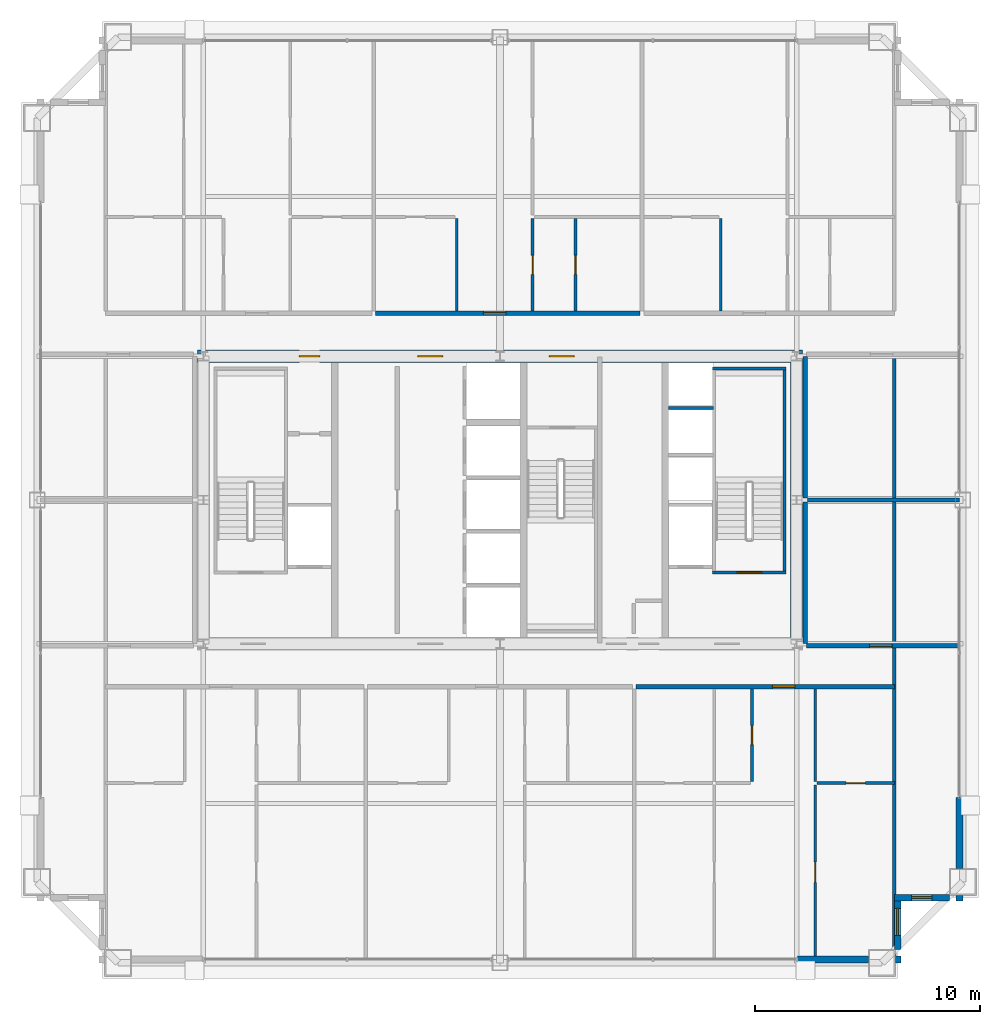
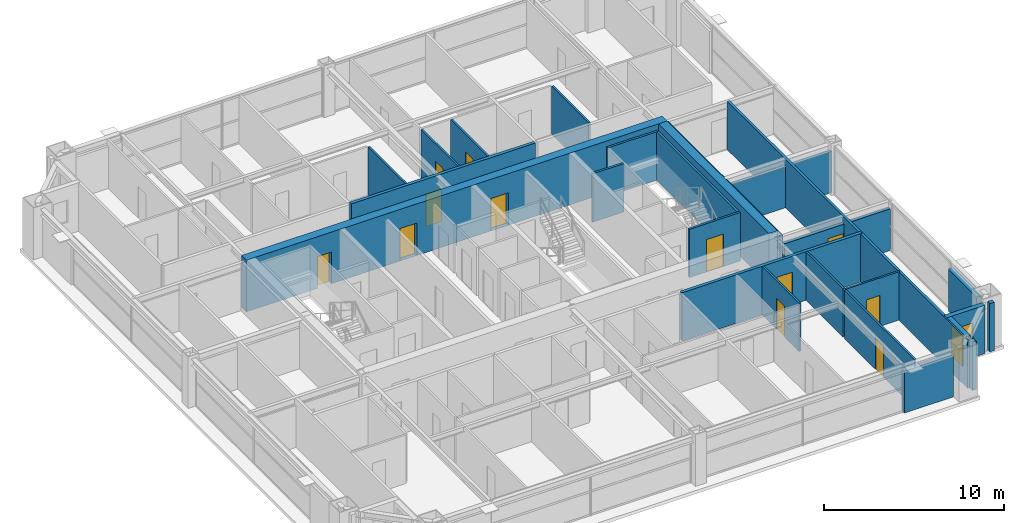
# One storey, part 34 of 37: 27 walls, 12 doors, 2 windows, 14 openings.
"""IFC4 building model written with IfcOpenShell, lengths in metres."""

from ifc_helpers import new_model, si_unit, direction, frame, frame_2d, origin, place, context, subcontext, project, spatial, rectangle, extrude, source, transform, mapped, material, layer, layer_set, type_object, element, fill, save


model = new_model("IFC4")

# Units and contexts
model_context = context("Model", 3, precision=1e-05, world=origin(), true_north=direction((0.0, 1.0)))
body_context = subcontext(model_context, "Body", "Model", "MODEL_VIEW")
ifc_project = project(units=[si_unit("LENGTHUNIT", "METRE"), si_unit("AREAUNIT", "SQUARE_METRE"), si_unit("VOLUMEUNIT", "CUBIC_METRE"), si_unit("PLANEANGLEUNIT", "RADIAN"), si_unit("MASSUNIT", "GRAM", prefix="KILO"), si_unit("THERMODYNAMICTEMPERATUREUNIT", "KELVIN"), si_unit("POWERUNIT", "WATT")], contexts=[model_context])

# Site, building, storey
site_placement = place(None, origin())
site = spatial("IfcSite", under=ifc_project, at=site_placement, CompositionType="ELEMENT")
building_placement = place(site_placement, origin())
building = spatial("IfcBuilding", under=site, at=building_placement, Name="Yuzanri Waterfront Tower", CompositionType="ELEMENT")
storey_placement = place(building_placement, frame((0.0, 0.0, 252.10009765625)))
storey = spatial("IfcBuildingStorey", under=building, at=storey_placement, Name="L67", CompositionType="ELEMENT", Elevation=252.10009765625)

# Wall, opening, door
ifc_material_1 = material(Name="Moisture-Resistant Gypsum Stud Wall", Category="gypsum")
ifc_layer_1 = layer(ifc_material_1, 0.1201171875)
ifc_layer_set_1 = layer_set([ifc_layer_1], Name="Moisture-Resistant Gypsum Stud Wall")
wall_type_1 = type_object("IfcWallType", Name="Bathroom and Kitchen Wet Partition 120", PredefinedType="PARTITIONING", material=ifc_layer_set_1)
wall_1_placement = place(storey_placement, frame((48.218994140625, 13.280029296875, 0.0), z_axis=(0.0, 0.0, 1.0), x_axis=(0.0, 1.0, 0.0)))
wall_1 = element("IfcWall", 1, at=wall_1_placement, inside=storey, type_object=wall_type_1, Name="L67 Partition UW-L67-RS3-SUB-2-E", PredefinedType="PARTITIONING", context=body_context, shape_type="SweptSolid", body=[
    extrude(rectangle(XDim=4.10986328125, YDim=0.1201171875, at=frame_2d((2.054931640625, 0.0))), origin(), (0.0, 0.0, 1.0), 3.27978515625),
])
opening_1_placement = place(wall_1_placement, frame((1.6298828125, 0.0, 0.0)))
opening_1 = element("IfcOpeningElement", 2, at=opening_1_placement, cuts=wall_1, Name="Opening ID-0850", PredefinedType="OPENING", context=body_context, shape_type="SweptSolid", body=[
    extrude(rectangle(XDim=0.85009765625, YDim=2.10009765625, at=frame_2d((0.425048828125, 1.050048828125))), frame((0.0, 0.074951171875, 0.0), z_axis=(0.0, -1.0, 0.0), x_axis=(1.0, 0.0, 0.0)), (0.0, 0.0, 1.0), 0.14990234375),
])
ifc_material_2 = material(Name="Moisture-Resistant Lacquered Timber", Category="wood")
door_type_1 = type_object("IfcDoorType", Name="En-Suite Bathroom and Kitchen Swing Door 850x2100", OperationType="NOTDEFINED", PredefinedType="DOOR", material=ifc_material_2)
shared_shape_1 = source(origin(), body_context, "Body", "SweptSolid", [
    extrude(rectangle(XDim=0.85009765625, YDim=2.10009765625, at=frame_2d((0.425048828125, 1.050048828125))), frame((0.0, 0.02490234375, 0.0), z_axis=(0.0, -1.0, 0.0), x_axis=(1.0, 0.0, 0.0)), (0.0, 0.0, 1.0), 0.050048828125),
])
door_1_placement = place(opening_1_placement, origin())
door_1 = element("IfcDoor", 3, at=door_1_placement, inside=storey, type_object=door_type_1, Name="L67 Suite Interior Room Door", OperationType="SINGLE_SWING_LEFT", OverallHeight=2.10009765625, OverallWidth=0.85009765625, PredefinedType="DOOR", context=body_context, shape_type="MappedRepresentation", body=[
    mapped(shared_shape_1, transform((0.0, 0.0, 0.0), scale=1.0)),
])
fill(opening_1, door_1)

wall_2_placement = place(storey_placement, frame((51.10693359375, 13.199951171875, 0.0), z_axis=(0.0, 0.0, 1.0), x_axis=(1.0, 0.0, 0.0)))
wall_2 = element("IfcWall", 4, at=wall_2_placement, inside=storey, type_object=wall_type_1, Name="L67 Partition UW-L67-RS3-SUB-3-S", PredefinedType="PARTITIONING", context=body_context, shape_type="SweptSolid", body=[
    extrude(rectangle(XDim=3.453125, YDim=0.1201171875, at=frame_2d((1.7265625, 0.0))), origin(), (0.0, 0.0, 1.0), 3.27978515625),
])
opening_2_placement = place(wall_2_placement, frame((1.301513671875, 0.0, 0.0)))
opening_2 = element("IfcOpeningElement", 5, at=opening_2_placement, cuts=wall_2, Name="Opening ID-0850", PredefinedType="OPENING", context=body_context, shape_type="SweptSolid", body=[
    extrude(rectangle(XDim=0.85009765625, YDim=2.10009765625, at=frame_2d((0.425048828125, 1.050048828125))), frame((0.0, 0.074951171875, 0.0), z_axis=(0.0, -1.0, 0.0), x_axis=(1.0, 0.0, 0.0)), (0.0, 0.0, 1.0), 0.14990234375),
])
door_2_placement = place(opening_2_placement, origin())
door_2 = element("IfcDoor", 6, at=door_2_placement, inside=storey, type_object=door_type_1, Name="L67 Suite Interior Room Door", OperationType="SINGLE_SWING_RIGHT", OverallHeight=2.10009765625, OverallWidth=0.85009765625, PredefinedType="DOOR", context=body_context, shape_type="MappedRepresentation", body=[
    mapped(shared_shape_1, transform((0.0, 0.0, 0.0), scale=1.0)),
])
fill(opening_2, door_2)

wall_3_placement = place(storey_placement, frame((51.027099609375, 5.35009765625, 0.0), z_axis=(0.0, 0.0, 1.0), x_axis=(0.0, 1.0, 0.0)))
wall_3 = element("IfcWall", 7, at=wall_3_placement, inside=storey, type_object=wall_type_1, Name="L67 Partition UW-L67-RS3-SUB-5-W", PredefinedType="PARTITIONING", context=body_context, shape_type="SweptSolid", body=[
    extrude(rectangle(XDim=7.77001953125, YDim=0.1201171875, at=frame_2d((3.885009765625, 0.0))), origin(), (0.0, 0.0, 1.0), 3.27978515625),
])
opening_3_placement = place(wall_3_placement, frame((3.43505859375, 0.0, 0.0)))
opening_3 = element("IfcOpeningElement", 8, at=opening_3_placement, cuts=wall_3, Name="Opening ID-0900", PredefinedType="OPENING", context=body_context, shape_type="SweptSolid", body=[
    extrude(rectangle(XDim=0.89990234375, YDim=2.14990234375, at=frame_2d((0.449951171875, 1.074951171875))), frame((0.0, 0.074951171875, 0.0), z_axis=(0.0, -1.0, 0.0), x_axis=(1.0, 0.0, 0.0)), (0.0, 0.0, 1.0), 0.14990234375),
])
ifc_material_3 = material(Name="Stained Walnut Veneer Timber", Category="wood")
door_type_2 = type_object("IfcDoorType", Name="Bedroom and Study Interior Swing Door 900x2150", OperationType="NOTDEFINED", PredefinedType="DOOR", material=ifc_material_3)
shared_shape_2 = source(origin(), body_context, "Body", "SweptSolid", [
    extrude(rectangle(XDim=0.89990234375, YDim=2.14990234375, at=frame_2d((0.449951171875, 1.074951171875))), frame((0.0, 0.02490234375, 0.0), z_axis=(0.0, -1.0, 0.0), x_axis=(1.0, 0.0, 0.0)), (0.0, 0.0, 1.0), 0.050048828125),
])
door_3_placement = place(opening_3_placement, origin())
door_3 = element("IfcDoor", 9, at=door_3_placement, inside=storey, type_object=door_type_2, Name="L67 Suite Interior Room Door", OperationType="SINGLE_SWING_RIGHT", OverallHeight=2.14990234375, OverallWidth=0.89990234375, PredefinedType="DOOR", context=body_context, shape_type="MappedRepresentation", body=[
    mapped(shared_shape_2, transform((0.0, 0.0, 0.0), scale=1.0)),
])
fill(opening_3, door_3)

wall_4_placement = place(storey_placement, frame((40.362060546875, 34.2099609375, 0.0), z_axis=(0.0, 0.0, 1.0), x_axis=(0.0, 1.0, 0.0)))
wall_4 = element("IfcWall", 10, at=wall_4_placement, inside=storey, type_object=wall_type_1, Name="L67 Partition UW-L67-RN2-SUB-2-W", PredefinedType="PARTITIONING", context=body_context, shape_type="SweptSolid", body=[
    extrude(rectangle(XDim=4.110107421875, YDim=0.1201171875, at=frame_2d((2.05517578125, 0.0))), origin(), (0.0, 0.0, 1.0), 3.27978515625),
])
opening_4_placement = place(wall_4_placement, frame((1.6298828125, 0.0, 0.0)))
opening_4 = element("IfcOpeningElement", 11, at=opening_4_placement, cuts=wall_4, Name="Opening ID-0850", PredefinedType="OPENING", context=body_context, shape_type="SweptSolid", body=[
    extrude(rectangle(XDim=0.85009765625, YDim=2.10009765625, at=frame_2d((0.425048828125, 1.050048828125))), frame((0.0, 0.074951171875, 0.0), z_axis=(0.0, -1.0, 0.0), x_axis=(1.0, 0.0, 0.0)), (0.0, 0.0, 1.0), 0.14990234375),
])
door_4_placement = place(opening_4_placement, origin())
door_4 = element("IfcDoor", 12, at=door_4_placement, inside=storey, type_object=door_type_1, Name="L67 Suite Interior Room Door", OperationType="SINGLE_SWING_LEFT", OverallHeight=2.10009765625, OverallWidth=0.85009765625, PredefinedType="DOOR", context=body_context, shape_type="MappedRepresentation", body=[
    mapped(shared_shape_1, transform((0.0, 0.0, 0.0), scale=1.0)),
])
fill(opening_4, door_4)

wall_5_placement = place(storey_placement, frame((38.449951171875, 34.2099609375, 0.0), z_axis=(0.0, 0.0, 1.0), x_axis=(0.0, 1.0, 0.0)))
wall_5 = element("IfcWall", 13, at=wall_5_placement, inside=storey, type_object=wall_type_1, Name="L67 Partition UW-L67-RN2-SUB-4-W", PredefinedType="PARTITIONING", context=body_context, shape_type="SweptSolid", body=[
    extrude(rectangle(XDim=4.110107421875, YDim=0.1201171875, at=frame_2d((2.05517578125, 0.0))), origin(), (0.0, 0.0, 1.0), 3.27978515625),
])
opening_5_placement = place(wall_5_placement, frame((1.6298828125, 0.0, 0.0)))
opening_5 = element("IfcOpeningElement", 14, at=opening_5_placement, cuts=wall_5, Name="Opening ID-0850", PredefinedType="OPENING", context=body_context, shape_type="SweptSolid", body=[
    extrude(rectangle(XDim=0.85009765625, YDim=2.10009765625, at=frame_2d((0.425048828125, 1.050048828125))), frame((0.0, 0.074951171875, 0.0), z_axis=(0.0, -1.0, 0.0), x_axis=(1.0, 0.0, 0.0)), (0.0, 0.0, 1.0), 0.14990234375),
])
door_5_placement = place(opening_5_placement, origin())
door_5 = element("IfcDoor", 15, at=door_5_placement, inside=storey, type_object=door_type_1, Name="L67 Suite Interior Room Door", OperationType="SINGLE_SWING_LEFT", OverallHeight=2.10009765625, OverallWidth=0.85009765625, PredefinedType="DOOR", context=body_context, shape_type="MappedRepresentation", body=[
    mapped(shared_shape_1, transform((0.0, 0.0, 0.0), scale=1.0)),
])
fill(opening_5, door_5)

# Wall, opening, window
ifc_material_4 = material(Name="Honed Chongqing Dark Basalt Stone", Category="masonry")
ifc_layer_2 = layer(ifc_material_4, 0.300048828125)
ifc_layer_set_2 = layer_set([ifc_layer_2], Name="Honed Chongqing Dark Basalt Stone")
wall_type_2 = type_object("IfcWallType", Name="Bronze Rainscreen Insulated Spandrel Portal Wall 300", PredefinedType="SOLIDWALL", material=ifc_layer_set_2)
wall_6_placement = place(storey_placement, frame((54.550048828125, 8.10009765625, 0.0), z_axis=(0.0, 0.0, 1.0), x_axis=(1.0, 0.0, 0.0)))
wall_6 = element("IfcWall", 16, at=wall_6_placement, inside=storey, type_object=wall_type_2, Name="L67 Notched Corner Masonry Wall SE-X", PredefinedType="SOLIDWALL", context=body_context, shape_type="SweptSolid", body=[
    extrude(rectangle(XDim=2.449951171875, YDim=0.300048828125, at=frame_2d((1.22509765625, 0.0))), origin(), (0.0, 0.0, 1.0), 3.27978515625),
])
opening_6_placement = place(wall_6_placement, frame((0.77490234375, 0.0, 0.85009765625)))
opening_6 = element("IfcOpeningElement", 17, at=opening_6_placement, cuts=wall_6, Name="Opening WN-05", PredefinedType="OPENING", context=body_context, shape_type="SweptSolid", body=[
    extrude(rectangle(XDim=0.89990234375, YDim=1.5, at=frame_2d((0.449951171875, 0.75))), frame((0.0, 0.1650390625, 0.0), z_axis=(0.0, -1.0, 0.0), x_axis=(1.0, 0.0, 0.0)), (0.0, 0.0, 1.0), 0.329833984375),
])
ifc_material_5 = material(Name="Double-Silver Low-E Insulated Glass", Category="glass")
window_type_1 = type_object("IfcWindowType", Name="Anodized Bronze Service and Stairwell Smoke-Vent Window 900x1500", PartitioningType="SINGLE_PANEL", PredefinedType="WINDOW", material=ifc_material_5)
shared_shape_3 = source(origin(), body_context, "Body", "SweptSolid", [
    extrude(rectangle(XDim=0.89990234375, YDim=1.5, at=frame_2d((0.449951171875, 0.75))), frame((0.0, 0.030029296875, 0.0), z_axis=(0.0, -1.0, 0.0), x_axis=(1.0, 0.0, 0.0)), (0.0, 0.0, 1.0), 0.06005859375),
])
window_1_placement = place(opening_6_placement, origin())
window_1 = element("IfcWindow", 18, at=window_1_placement, inside=storey, type_object=window_type_1, Name="L67 Notched Corner Window SE-X", OverallHeight=1.5, OverallWidth=0.89990234375, PartitioningType="SINGLE_PANEL", PredefinedType="WINDOW", context=body_context, shape_type="MappedRepresentation", body=[
    mapped(shared_shape_3, transform((0.0, 0.0, 0.0), scale=1.0)),
])
fill(opening_6, window_1)

wall_7_placement = place(storey_placement, frame((54.699951171875, 5.800048828125, 0.0), z_axis=(0.0, 0.0, 1.0), x_axis=(0.0, 1.0, 0.0)))
wall_7 = element("IfcWall", 19, at=wall_7_placement, inside=storey, type_object=wall_type_2, Name="L67 Notched Corner Masonry Wall SE-Y", PredefinedType="SOLIDWALL", context=body_context, shape_type="SweptSolid", body=[
    extrude(rectangle(XDim=2.449951171875, YDim=0.300048828125, at=frame_2d((1.22509765625, 0.0))), origin(), (0.0, 0.0, 1.0), 3.27978515625),
])
opening_7_placement = place(wall_7_placement, frame((0.625, 0.0, 0.85009765625)))
opening_7 = element("IfcOpeningElement", 20, at=opening_7_placement, cuts=wall_7, Name="Opening WN-02", PredefinedType="OPENING", context=body_context, shape_type="SweptSolid", body=[
    extrude(rectangle(XDim=1.199951171875, YDim=2.10009765625, at=frame_2d((0.60009765625, 1.050048828125))), frame((0.0, 0.1650390625, 0.0), z_axis=(0.0, -1.0, 0.0), x_axis=(1.0, 0.0, 0.0)), (0.0, 0.0, 1.0), 0.329833984375),
])
ifc_material_6 = material(Name="Double-Silver Low-E Insulated Glass", Category="glass")
window_type_2 = type_object("IfcWindowType", Name="Anodized Bronze Notched Corner Deep-Set Slot Window 1200x2100", PartitioningType="SINGLE_PANEL", PredefinedType="WINDOW", material=ifc_material_6)
shared_shape_4 = source(origin(), body_context, "Body", "SweptSolid", [
    extrude(rectangle(XDim=1.199951171875, YDim=2.10009765625, at=frame_2d((0.60009765625, 1.050048828125))), frame((0.0, 0.030029296875, 0.0), z_axis=(0.0, -1.0, 0.0), x_axis=(1.0, 0.0, 0.0)), (0.0, 0.0, 1.0), 0.06005859375),
])
window_2_placement = place(opening_7_placement, origin())
window_2 = element("IfcWindow", 21, at=window_2_placement, inside=storey, type_object=window_type_2, Name="L67 Notched Corner Window SE-Y", OverallHeight=2.10009765625, OverallWidth=1.199951171875, PartitioningType="SINGLE_PANEL", PredefinedType="WINDOW", context=body_context, shape_type="MappedRepresentation", body=[
    mapped(shared_shape_4, transform((0.0, 0.0, 0.0), scale=1.0)),
])
fill(opening_7, window_2)

# Wall, openings, doors
ifc_material_7 = material(Name="Concrete C50", Category="concrete")
ifc_layer_3 = layer(ifc_material_7, 0.550048828125)
ifc_layer_set_3 = layer_set([ifc_layer_3], Name="Concrete C50")
wall_type_3 = type_object("IfcWallType", Name="Concrete C50 Upper-Mid Zone Core Shear Wall 550", PredefinedType="SHEAR", material=ifc_layer_set_3)
wall_8_placement = place(storey_placement, frame((23.52490234375, 32.199951171875, 0.0), z_axis=(0.0, 0.0, 1.0), x_axis=(1.0, 0.0, 0.0)))
wall_8 = element("IfcWall", 22, at=wall_8_placement, inside=storey, type_object=wall_type_3, Name="L67 Core North Shear Wall", PredefinedType="SHEAR", context=body_context, shape_type="SweptSolid", body=[
    extrude(rectangle(XDim=26.9501953125, YDim=0.550048828125, at=frame_2d((13.47509765625, 0.0))), origin(), (0.0, 0.0, 1.0), 3.5),
])
opening_8_placement = place(wall_8_placement, frame((4.544921875, 0.0, 0.0)))
opening_8 = element("IfcOpeningElement", 23, at=opening_8_placement, cuts=wall_8, Name="Opening FD-0900", PredefinedType="OPENING", context=body_context, shape_type="SweptSolid", body=[
    extrude(rectangle(XDim=0.89990234375, YDim=2.14990234375, at=frame_2d((0.449951171875, 1.074951171875))), frame((0.0, 0.2900390625, 0.0), z_axis=(0.0, -1.0, 0.0), x_axis=(1.0, 0.0, 0.0)), (0.0, 0.0, 1.0), 0.579833984375),
])
opening_9_placement = place(wall_8_placement, frame((9.824951171875, 0.0, 0.0)))
opening_9 = element("IfcOpeningElement", 24, at=opening_9_placement, cuts=wall_8, Name="Opening FD-1100", PredefinedType="OPENING", context=body_context, shape_type="SweptSolid", body=[
    extrude(rectangle(XDim=1.10009765625, YDim=2.199951171875, at=frame_2d((0.550048828125, 1.10009765625))), frame((0.0, 0.2900390625, 0.0), z_axis=(0.0, -1.0, 0.0), x_axis=(1.0, 0.0, 0.0)), (0.0, 0.0, 1.0), 0.579833984375),
])
opening_10_placement = place(wall_8_placement, frame((15.675048828125, 0.0, 0.0)))
opening_10 = element("IfcOpeningElement", 25, at=opening_10_placement, cuts=wall_8, Name="Opening FD-1100", PredefinedType="OPENING", context=body_context, shape_type="SweptSolid", body=[
    extrude(rectangle(XDim=1.10009765625, YDim=2.199951171875, at=frame_2d((0.550048828125, 1.10009765625))), frame((0.0, 0.2900390625, 0.0), z_axis=(0.0, -1.0, 0.0), x_axis=(1.0, 0.0, 0.0)), (0.0, 0.0, 1.0), 0.579833984375),
])
ifc_material_8 = material(Name="Painted Galvanized Fire Steel", Category="steel")
door_type_3 = type_object("IfcDoorType", Name="Smoke-Proof Stair and Lobby Fire Door 1100x2200", OperationType="NOTDEFINED", PredefinedType="DOOR", material=ifc_material_8)
shared_shape_5 = source(origin(), body_context, "Body", "SweptSolid", [
    extrude(rectangle(XDim=1.10009765625, YDim=2.199951171875, at=frame_2d((0.550048828125, 1.10009765625))), frame((0.0, 0.02490234375, 0.0), z_axis=(0.0, -1.0, 0.0), x_axis=(1.0, 0.0, 0.0)), (0.0, 0.0, 1.0), 0.050048828125),
])
door_6_placement = place(opening_9_placement, origin())
door_6 = element("IfcDoor", 26, at=door_6_placement, inside=storey, type_object=door_type_3, Name="L67 Central Lift Lobby North Door", OperationType="SINGLE_SWING_LEFT", OverallHeight=2.199951171875, OverallWidth=1.10009765625, PredefinedType="DOOR", context=body_context, shape_type="MappedRepresentation", body=[
    mapped(shared_shape_5, transform((0.0, 0.0, 0.0), scale=1.0)),
])
fill(opening_9, door_6)
door_7_placement = place(opening_10_placement, origin())
door_7 = element("IfcDoor", 27, at=door_7_placement, inside=storey, type_object=door_type_3, Name="L67 North Stair Lobby Door", OperationType="SINGLE_SWING_RIGHT", OverallHeight=2.199951171875, OverallWidth=1.10009765625, PredefinedType="DOOR", context=body_context, shape_type="MappedRepresentation", body=[
    mapped(shared_shape_5, transform((0.0, 0.0, 0.0), scale=1.0)),
])
fill(opening_10, door_7)
ifc_material_9 = material(Name="Painted Galvanized Fire Steel", Category="steel")
door_type_4 = type_object("IfcDoorType", Name="Riser and Service Room Fire Door 900x2150", OperationType="NOTDEFINED", PredefinedType="DOOR", material=ifc_material_9)
shared_shape_6 = source(origin(), body_context, "Body", "SweptSolid", [
    extrude(rectangle(XDim=0.89990234375, YDim=2.14990234375, at=frame_2d((0.449951171875, 1.074951171875))), frame((0.0, 0.02490234375, 0.0), z_axis=(0.0, -1.0, 0.0), x_axis=(1.0, 0.0, 0.0)), (0.0, 0.0, 1.0), 0.050048828125),
])
door_8_placement = place(opening_8_placement, origin())
door_8 = element("IfcDoor", 28, at=door_8_placement, inside=storey, type_object=door_type_4, Name="L67 Telecom Riser Door", OperationType="SINGLE_SWING_RIGHT", OverallHeight=2.14990234375, OverallWidth=0.89990234375, PredefinedType="DOOR", context=body_context, shape_type="MappedRepresentation", body=[
    mapped(shared_shape_6, transform((0.0, 0.0, 0.0), scale=1.0)),
])
fill(opening_8, door_8)

# Wall, opening, door
ifc_material_10 = material(Name="Concrete C40", Category="concrete")
ifc_layer_4 = layer(ifc_material_10, 0.139892578125)
ifc_layer_set_4 = layer_set([ifc_layer_4], Name="Concrete C40")
wall_type_4 = type_object("IfcWallType", Name="Core Stair Liner and Hoistway Shaft Wall 140", PredefinedType="SOLIDWALL", material=ifc_layer_set_4)
wall_9_placement = place(storey_placement, frame((46.4599609375, 22.570068359375, 0.0), z_axis=(0.0, 0.0, 1.0), x_axis=(1.0, 0.0, 0.0)))
wall_9 = element("IfcWall", 29, at=wall_9_placement, inside=storey, type_object=wall_type_4, Name="L67 Shaft Wall STW-L67-ST-02-S", PredefinedType="SOLIDWALL", context=body_context, shape_type="SweptSolid", body=[
    extrude(rectangle(XDim=3.280029296875, YDim=0.139892578125, at=frame_2d((1.64013671875, 0.0))), origin(), (0.0, 0.0, 1.0), 3.27978515625),
])
opening_11_placement = place(wall_9_placement, frame((1.090087890625, 0.0, 0.0)))
opening_11 = element("IfcOpeningElement", 30, at=opening_11_placement, cuts=wall_9, Name="Opening FD-1100", PredefinedType="OPENING", context=body_context, shape_type="SweptSolid", body=[
    extrude(rectangle(XDim=1.10009765625, YDim=2.199951171875, at=frame_2d((0.550048828125, 1.10009765625))), frame((0.0, 0.0849609375, 0.0), z_axis=(0.0, -1.0, 0.0), x_axis=(1.0, 0.0, 0.0)), (0.0, 0.0, 1.0), 0.169677734375),
])
door_9_placement = place(opening_11_placement, origin())
door_9 = element("IfcDoor", 31, at=door_9_placement, inside=storey, type_object=door_type_3, Name="L67 Stair ST-02 Fire Door", OperationType="SINGLE_SWING_LEFT", OverallHeight=2.199951171875, OverallWidth=1.10009765625, PredefinedType="DOOR", context=body_context, shape_type="MappedRepresentation", body=[
    mapped(shared_shape_5, transform((0.0, 0.0, 0.0), scale=1.0)),
])
fill(opening_11, door_9)

ifc_material_11 = material(Name="Autoclaved Aerated Concrete Blockwork", Category="masonry")
ifc_layer_5 = layer(ifc_material_11, 0.199951171875)
ifc_layer_set_5 = layer_set([ifc_layer_5], Name="Autoclaved Aerated Concrete Blockwork")
wall_type_5 = type_object("IfcWallType", Name="Corridor and Unit Party Fire Wall 200", PredefinedType="PARTITIONING", material=ifc_layer_set_5)
wall_10_placement = place(storey_placement, frame((43.050048828125, 17.489990234375, 0.0), z_axis=(0.0, 0.0, 1.0), x_axis=(1.0, 0.0, 0.0)))
wall_10 = element("IfcWall", 32, at=wall_10_placement, inside=storey, type_object=wall_type_5, Name="L67 Partition UW-L67-RS3-CN", PredefinedType="PARTITIONING", context=body_context, shape_type="SweptSolid", body=[
    extrude(rectangle(XDim=11.510009765625, YDim=0.199951171875, at=frame_2d((5.7548828125, 0.0))), origin(), (0.0, 0.0, 1.0), 3.27978515625),
])
opening_12_placement = place(wall_10_placement, frame((6.072998046875, 0.0, 0.0)))
opening_12 = element("IfcOpeningElement", 33, at=opening_12_placement, cuts=wall_10, Name="Opening FD-1000", PredefinedType="OPENING", context=body_context, shape_type="SweptSolid", body=[
    extrude(rectangle(XDim=1.0, YDim=2.199951171875, at=frame_2d((0.5, 1.10009765625))), frame((0.0, 0.11474609375, 0.0), z_axis=(0.0, -1.0, 0.0), x_axis=(1.0, 0.0, 0.0)), (0.0, 0.0, 1.0), 0.229736328125),
])
ifc_material_12 = material(Name="Engineered Oak Fire-Rated Timber", Category="wood")
door_type_5 = type_object("IfcDoorType", Name="Guestroom and Apartment Entrance Fire Door 1000x2200", OperationType="NOTDEFINED", PredefinedType="DOOR", material=ifc_material_12)
shared_shape_7 = source(origin(), body_context, "Body", "SweptSolid", [
    extrude(rectangle(XDim=1.0, YDim=2.199951171875, at=frame_2d((0.5, 1.10009765625))), frame((0.0, 0.02490234375, 0.0), z_axis=(0.0, -1.0, 0.0), x_axis=(1.0, 0.0, 0.0)), (0.0, 0.0, 1.0), 0.050048828125),
])
door_10_placement = place(opening_12_placement, origin())
door_10 = element("IfcDoor", 34, at=door_10_placement, inside=storey, type_object=door_type_5, Name="L67 Apartment Living and Dining Salon Entrance Door", OperationType="SINGLE_SWING_LEFT", OverallHeight=2.199951171875, OverallWidth=1.0, PredefinedType="DOOR", context=body_context, shape_type="MappedRepresentation", body=[
    mapped(shared_shape_7, transform((0.0, 0.0, 0.0), scale=1.0)),
])
fill(opening_12, door_10)

wall_11_placement = place(storey_placement, frame((31.4609375, 34.110107421875, 0.0), z_axis=(0.0, 0.0, 1.0), x_axis=(1.0, 0.0, 0.0)))
wall_11 = element("IfcWall", 35, at=wall_11_placement, inside=storey, type_object=wall_type_5, Name="L67 Partition UW-L67-RN2-CS", PredefinedType="PARTITIONING", context=body_context, shape_type="SweptSolid", body=[
    extrude(rectangle(XDim=11.781005859375, YDim=0.199951171875, at=frame_2d((5.890625, 0.0))), origin(), (0.0, 0.0, 1.0), 3.27978515625),
])
opening_13_placement = place(wall_11_placement, frame((4.801025390625, 0.0, 0.0)))
opening_13 = element("IfcOpeningElement", 36, at=opening_13_placement, cuts=wall_11, Name="Opening FD-1000", PredefinedType="OPENING", context=body_context, shape_type="SweptSolid", body=[
    extrude(rectangle(XDim=1.0, YDim=2.199951171875, at=frame_2d((0.5, 1.10009765625))), frame((0.0, 0.11474609375, 0.0), z_axis=(0.0, -1.0, 0.0), x_axis=(1.0, 0.0, 0.0)), (0.0, 0.0, 1.0), 0.229736328125),
])
door_11_placement = place(opening_13_placement, origin())
door_11 = element("IfcDoor", 37, at=door_11_placement, inside=storey, type_object=door_type_5, Name="L67 Apartment Living Room Entrance Door", OperationType="SINGLE_SWING_LEFT", OverallHeight=2.199951171875, OverallWidth=1.0, PredefinedType="DOOR", context=body_context, shape_type="MappedRepresentation", body=[
    mapped(shared_shape_7, transform((0.0, 0.0, 0.0), scale=1.0)),
])
fill(opening_13, door_11)

wall_12_placement = place(storey_placement, frame((50.64990234375, 19.31005859375, 0.0), z_axis=(0.0, 0.0, 1.0), x_axis=(1.0, 0.0, 0.0)))
wall_12 = element("IfcWall", 38, at=wall_12_placement, inside=storey, type_object=wall_type_5, Name="L67 Partition UW-L67-049-CS", PredefinedType="PARTITIONING", context=body_context, shape_type="SweptSolid", body=[
    extrude(rectangle(XDim=6.800048828125, YDim=0.199951171875, at=frame_2d((3.39990234375, 0.0))), origin(), (0.0, 0.0, 1.0), 2.824951171875),
])
opening_14_placement = place(wall_12_placement, frame((2.800048828125, 0.0, 0.0)))
opening_14 = element("IfcOpeningElement", 39, at=opening_14_placement, cuts=wall_12, Name="Opening FD-1000", PredefinedType="OPENING", context=body_context, shape_type="SweptSolid", body=[
    extrude(rectangle(XDim=1.0, YDim=2.199951171875, at=frame_2d((0.5, 1.10009765625))), frame((0.0, 0.11474609375, 0.0), z_axis=(0.0, -1.0, 0.0), x_axis=(1.0, 0.0, 0.0)), (0.0, 0.0, 1.0), 0.229736328125),
])
door_12_placement = place(opening_14_placement, origin())
door_12 = element("IfcDoor", 40, at=door_12_placement, inside=storey, type_object=door_type_5, Name="L67 Residents E Co-Working Office 1 Entrance Door", OperationType="SINGLE_SWING_LEFT", OverallHeight=2.199951171875, OverallWidth=1.0, PredefinedType="DOOR", context=body_context, shape_type="MappedRepresentation", body=[
    mapped(shared_shape_7, transform((0.0, 0.0, 0.0), scale=1.0)),
])
fill(opening_14, door_12)

# Walls
shared_shape_8 = source(origin(), body_context, "Body", "SweptSolid", [
    extrude(rectangle(XDim=12.25, YDim=0.550048828125, at=frame_2d((6.125, 0.0))), origin(), (0.0, 0.0, 1.0), 3.5),
])
wall_13_placement = place(storey_placement, frame((50.199951171875, 19.675048828125, 0.0), z_axis=(0.0, 0.0, 1.0), x_axis=(0.0, 1.0, 0.0)))
element("IfcWall", 41, at=wall_13_placement, inside=storey, type_object=wall_type_3, Name="L67 Core East Shear Wall", PredefinedType="SHEAR", context=body_context, shape_type="MappedRepresentation", body=[
    mapped(shared_shape_8, transform((0.0, 0.0, 0.0), scale=1.0)),
])
shared_shape_9 = source(origin(), body_context, "Body", "SweptSolid", [
    extrude(rectangle(XDim=0.25, YDim=0.300048828125, at=frame_2d((0.125, 0.0))), origin(), (0.0, 0.0, 1.0), 3.27978515625),
])
for number, where, z_axis, x_axis, name in (
    (42, (54.60009765625, 5.35009765625, 0.0), (0.0, 0.0, 1.0), (1.0, 0.0, 0.0), "L67 Corner Column Shoulder Return CSE"),
    (43, (57.449951171875, 7.949951171875, 0.0), (0.0, 0.0, 1.0), (0.0, 1.0, 0.0), "L67 Corner Column Shoulder Return CES"),
):
    element("IfcWall", number, at=place(storey_placement, frame(where, z_axis=z_axis, x_axis=x_axis)), inside=storey, type_object=wall_type_2, Name=name, PredefinedType="SOLIDWALL", context=body_context, shape_type="MappedRepresentation", body=[
        mapped(shared_shape_9, transform((0.0, 0.0, 0.0), scale=1.0)),
    ])
shared_shape_10 = source(origin(), body_context, "Body", "SweptSolid", [
    extrude(rectangle(XDim=3.14990234375, YDim=0.300048828125, at=frame_2d((1.574951171875, 0.0))), origin(), (0.0, 0.0, 1.0), 2.8349609375),
])
wall_14_placement = place(storey_placement, frame((50.25, 5.35009765625, 0.0), z_axis=(0.0, 0.0, 1.0), x_axis=(1.0, 0.0, 0.0)))
element("IfcWall", 44, at=wall_14_placement, inside=storey, type_object=wall_type_2, Name="L67 S Right Braced Masonry Shoulder", PredefinedType="SOLIDWALL", context=body_context, shape_type="MappedRepresentation", body=[
    mapped(shared_shape_10, transform((0.0, 0.0, 0.0), scale=1.0)),
])
shared_shape_11 = source(origin(), body_context, "Body", "SweptSolid", [
    extrude(rectangle(XDim=3.150146484375, YDim=0.300048828125, at=frame_2d((1.5751953125, 0.0))), origin(), (0.0, 0.0, 1.0), 2.8349609375),
])
wall_15_placement = place(storey_placement, frame((57.449951171875, 9.39990234375, 0.0), z_axis=(0.0, 0.0, 1.0), x_axis=(0.0, 1.0, 0.0)))
element("IfcWall", 45, at=wall_15_placement, inside=storey, type_object=wall_type_2, Name="L67 E Left Braced Masonry Shoulder", PredefinedType="SOLIDWALL", context=body_context, shape_type="MappedRepresentation", body=[
    mapped(shared_shape_11, transform((0.0, 0.0, 0.0), scale=1.0)),
])
shared_shape_12 = source(origin(), body_context, "Body", "SweptSolid", [
    extrude(rectangle(XDim=2.0, YDim=0.139892578125, at=frame_2d((1.0, 0.0))), origin(), (0.0, 0.0, 1.0), 3.27978515625),
])
wall_16_placement = place(storey_placement, frame((44.5, 29.89990234375, 0.0), z_axis=(0.0, 0.0, 1.0), x_axis=(1.0, 0.0, 0.0)))
element("IfcWall", 46, at=wall_16_placement, inside=storey, type_object=wall_type_4, Name="L67 Lift PL-10 Divider Wall", PredefinedType="SOLIDWALL", context=body_context, shape_type="MappedRepresentation", body=[
    mapped(shared_shape_12, transform((0.0, 0.0, 0.0), scale=1.0)),
])
shared_shape_13 = source(origin(), body_context, "Body", "SweptSolid", [
    extrude(rectangle(XDim=3.280029296875, YDim=0.139892578125, at=frame_2d((1.64013671875, 0.0))), origin(), (0.0, 0.0, 1.0), 3.27978515625),
])
wall_17_placement = place(storey_placement, frame((46.4599609375, 31.64990234375, 0.0), z_axis=(0.0, 0.0, 1.0), x_axis=(1.0, 0.0, 0.0)))
element("IfcWall", 47, at=wall_17_placement, inside=storey, type_object=wall_type_4, Name="L67 Stair ST-02 North Shaft Wall", PredefinedType="SOLIDWALL", context=body_context, shape_type="MappedRepresentation", body=[
    mapped(shared_shape_13, transform((0.0, 0.0, 0.0), scale=1.0)),
])
shared_shape_14 = source(origin(), body_context, "Body", "SweptSolid", [
    extrude(rectangle(XDim=8.940185546875, YDim=0.139892578125, at=frame_2d((4.47021484375, 0.0))), origin(), (0.0, 0.0, 1.0), 3.27978515625),
])
wall_18_placement = place(storey_placement, frame((49.669921875, 22.639892578125, 0.0), z_axis=(0.0, 0.0, 1.0), x_axis=(0.0, 1.0, 0.0)))
element("IfcWall", 48, at=wall_18_placement, inside=storey, type_object=wall_type_4, Name="L67 Stair ST-02 East Shaft Wall", PredefinedType="SOLIDWALL", context=body_context, shape_type="MappedRepresentation", body=[
    mapped(shared_shape_14, transform((0.0, 0.0, 0.0), scale=1.0)),
])
shared_shape_15 = source(origin(), body_context, "Body", "SweptSolid", [
    extrude(rectangle(XDim=4.10986328125, YDim=0.1201171875, at=frame_2d((2.054931640625, 0.0))), origin(), (0.0, 0.0, 1.0), 3.27978515625),
])
wall_19_placement = place(storey_placement, frame((51.027099609375, 13.280029296875, 0.0), z_axis=(0.0, 0.0, 1.0), x_axis=(0.0, 1.0, 0.0)))
element("IfcWall", 49, at=wall_19_placement, inside=storey, type_object=wall_type_1, Name="L67 Partition UW-L67-RS3-SUB-3-W", PredefinedType="PARTITIONING", context=body_context, shape_type="MappedRepresentation", body=[
    mapped(shared_shape_15, transform((0.0, 0.0, 0.0), scale=1.0)),
])
shared_shape_16 = source(origin(), body_context, "Body", "SweptSolid", [
    extrude(rectangle(XDim=6.764892578125, YDim=0.199951171875, at=frame_2d((3.38232421875, 0.0))), origin(), (0.0, 0.0, 1.0), 2.786865234375),
])
wall_20_placement = place(storey_placement, frame((50.68505859375, 25.800048828125, 0.0), z_axis=(0.0, 0.0, 1.0), x_axis=(1.0, 0.0, 0.0)))
element("IfcWall", 50, at=wall_20_placement, inside=storey, type_object=wall_type_5, Name="L67-049 Wing North Wall", PredefinedType="PARTITIONING", context=body_context, shape_type="MappedRepresentation", body=[
    mapped(shared_shape_16, transform((0.0, 0.0, 0.0), scale=1.0)),
])
shared_shape_17 = source(origin(), body_context, "Body", "SweptSolid", [
    extrude(rectangle(XDim=6.2900390625, YDim=0.199951171875, at=frame_2d((3.14501953125, 0.0))), origin(), (0.0, 0.0, 1.0), 3.27978515625),
])
for number, where, z_axis, x_axis, name in (
    (51, (50.580078125, 19.409912109375, 0.0), (0.0, 0.0, 1.0), (0.0, 1.0, 0.0), "L67-049 Wing Inner Core-Side Wall"),
    (52, (50.580078125, 25.89990234375, 0.0), (0.0, 0.0, 1.0), (0.0, 1.0, 0.0), "L67-050 Wing Inner Core-Side Wall"),
):
    element("IfcWall", number, at=place(storey_placement, frame(where, z_axis=z_axis, x_axis=x_axis)), inside=storey, type_object=wall_type_5, Name=name, PredefinedType="PARTITIONING", context=body_context, shape_type="MappedRepresentation", body=[
        mapped(shared_shape_17, transform((0.0, 0.0, 0.0), scale=1.0)),
    ])
ifc_material_13 = material(Name="Gypsum Fireboard Acoustic Stud Wall", Category="gypsum")
ifc_layer_6 = layer(ifc_material_13, 0.159912109375)
ifc_layer_set_6 = layer_set([ifc_layer_6], Name="Gypsum Fireboard Acoustic Stud Wall")
wall_type_6 = type_object("IfcWallType", Name="Acoustic Suite Demising Partition 160", PredefinedType="PARTITIONING", material=ifc_layer_set_6)
shared_shape_18 = source(origin(), body_context, "Body", "SweptSolid", [
    extrude(rectangle(XDim=26.68994140625, YDim=0.159912109375, at=frame_2d((13.344970703125, 0.0))), origin(), (0.0, 0.0, 1.0), 3.27978515625),
])
wall_21_placement = place(storey_placement, frame((54.550048828125, 5.5, 0.0), z_axis=(0.0, 0.0, 1.0), x_axis=(0.0, 1.0, 0.0)))
element("IfcWall", 53, at=wall_21_placement, inside=storey, type_object=wall_type_6, Name="L67 South Band East End Wall", PredefinedType="PARTITIONING", context=body_context, shape_type="MappedRepresentation", body=[
    mapped(shared_shape_18, transform((0.0, 0.0, 0.0), scale=1.0)),
])
shared_shape_19 = source(origin(), body_context, "Body", "SweptSolid", [
    extrude(rectangle(XDim=4.110107421875, YDim=0.1201171875, at=frame_2d((2.05517578125, 0.0))), origin(), (0.0, 0.0, 1.0), 3.27978515625),
])
for number, where, z_axis, x_axis, name in (
    (54, (35.074951171875, 34.2099609375, 0.0), (0.0, 0.0, 1.0), (0.0, 1.0, 0.0), "L67 Partition UW-L67-RN2-SUB-1-E"),
    (55, (46.8291015625, 34.2099609375, 0.0), (0.0, 0.0, 1.0), (0.0, 1.0, 0.0), "L67 Partition UW-L67-RN3-SUB-1-E"),
):
    element("IfcWall", number, at=place(storey_placement, frame(where, z_axis=z_axis, x_axis=x_axis)), inside=storey, type_object=wall_type_1, Name=name, PredefinedType="PARTITIONING", context=body_context, shape_type="MappedRepresentation", body=[
        mapped(shared_shape_19, transform((0.0, 0.0, 0.0), scale=1.0)),
    ])

save(model, "model.ifc")
